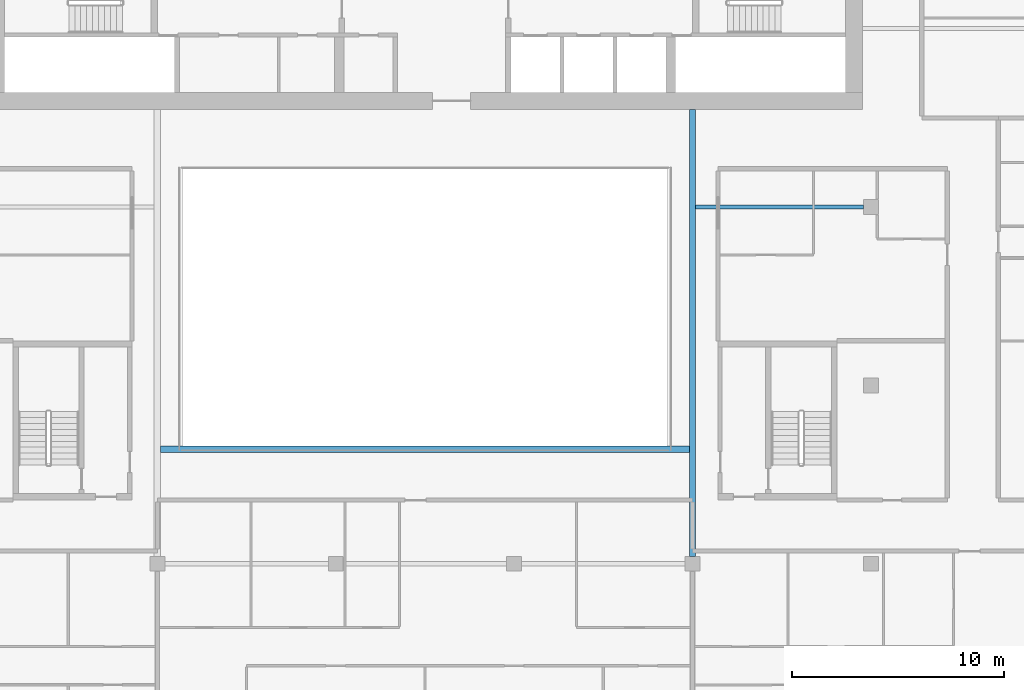
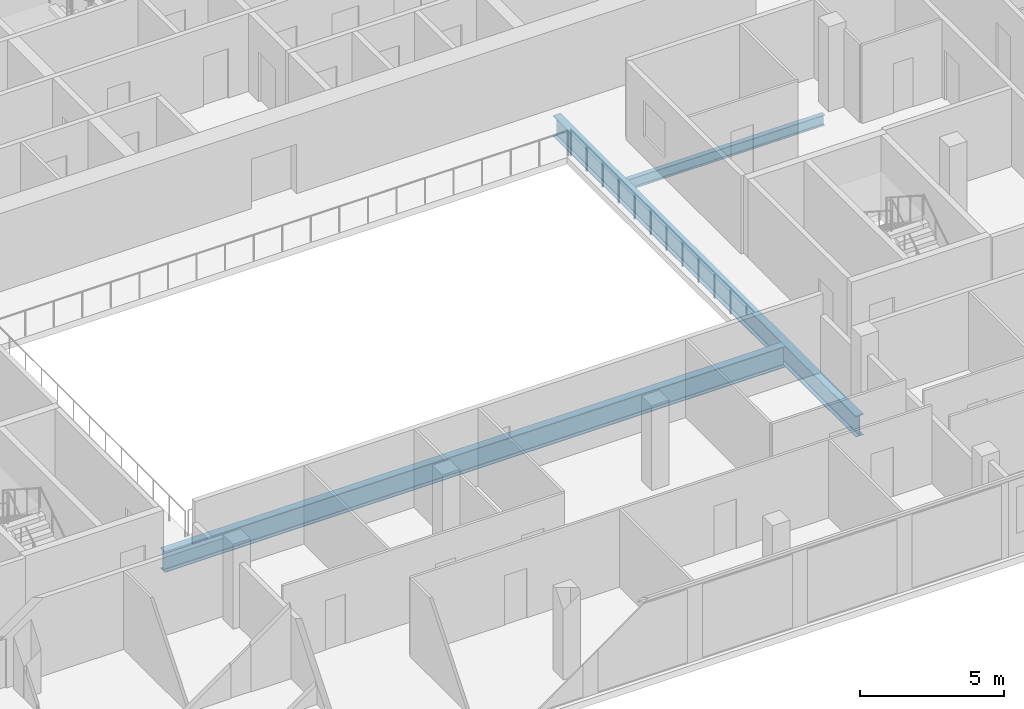
# One storey, part 7 of 29: 3 beams.
"""IFC4 building model written with IfcOpenShell, lengths in metres."""

from ifc_helpers import new_model, si_unit, direction, frame, origin, origin_2d, place, context, subcontext, project, spatial, i_section, extrude, material, material_profile, profile_set, type_object, element, save


model = new_model("IFC4")

# Units and contexts
model_context = context("Model", 3, precision=1e-05, world=origin(), true_north=direction((0.0, 1.0)))
body_context = subcontext(model_context, "Body", "Model", "MODEL_VIEW")
ifc_project = project(units=[si_unit("LENGTHUNIT", "METRE"), si_unit("AREAUNIT", "SQUARE_METRE"), si_unit("VOLUMEUNIT", "CUBIC_METRE"), si_unit("PLANEANGLEUNIT", "RADIAN"), si_unit("MASSUNIT", "GRAM", prefix="KILO")], contexts=[model_context])

# Site, building, storey
site_placement = place(None, origin())
site = spatial("IfcSite", under=ifc_project, at=site_placement, CompositionType="ELEMENT")
building_placement = place(site_placement, origin())
building = spatial("IfcBuilding", under=site, at=building_placement, Name="Saffron Gate Tower", CompositionType="ELEMENT")
storey_placement = place(building_placement, frame((0.0, 0.0, 161.85009765625)))
storey = spatial("IfcBuildingStorey", under=building, at=storey_placement, Name="L39", CompositionType="ELEMENT", Elevation=161.85009765625)

# Beams
ifc_material = material(Name="Structural steel S355", Category="steel")
ifc_material_profile_1 = material_profile(ifc_material, i_section(OverallWidth=0.300048828125, OverallDepth=0.889892578125, WebThickness=0.01611328125, FlangeThickness=0.030029296875, FilletRadius=0.030029296875, at=origin_2d()))
ifc_profile_set_1 = profile_set([ifc_material_profile_1], Name="Structural steel S355")
beam_type_1 = type_object("IfcBeamType", Name="B19 HEA 900", PredefinedType="BEAM", material=ifc_profile_set_1)
beam_1_placement = place(storey_placement, frame((100.199951171875, 40.550048828125, -0.72509765625), z_axis=(0.0, 1.0, 0.0), x_axis=(-1.0, 0.0, 0.0)))
element("IfcBeam", 1, at=beam_1_placement, inside=storey, type_object=beam_type_1, Name="B19 ATRIUM GIRDER", PredefinedType="BEAM", context=body_context, shape_type="SweptSolid", body=[
    extrude(i_section(OverallWidth=0.300048828125, OverallDepth=0.889892578125, WebThickness=0.01611328125, FlangeThickness=0.030029296875, FilletRadius=0.030029296875, at=origin_2d()), origin(), (0.0, 0.0, 1.0), 21.050048828125),
])
beam_2_placement = place(storey_placement, frame((75.14990234375, 45.60009765625, -0.72509765625), z_axis=(1.0, 0.0, 0.0), x_axis=(0.0, 1.0, 0.0)))
element("IfcBeam", 2, at=beam_2_placement, inside=storey, type_object=beam_type_1, Name="B19 ATRIUM GIRDER", PredefinedType="BEAM", context=body_context, shape_type="SweptSolid", body=[
    extrude(i_section(OverallWidth=0.300048828125, OverallDepth=0.889892578125, WebThickness=0.01611328125, FlangeThickness=0.030029296875, FilletRadius=0.030029296875, at=origin_2d()), origin(), (0.0, 0.0, 1.0), 24.900146484375),
])
ifc_material_profile_2 = material_profile(ifc_material, i_section(OverallWidth=0.18994140625, OverallDepth=0.449951171875, WebThickness=0.009521484375, FlangeThickness=0.0146484375, FilletRadius=0.02099609375, at=origin_2d()))
ifc_profile_set_2 = profile_set([ifc_material_profile_2], Name="Structural steel S355")
beam_type_2 = type_object("IfcBeamType", Name="B6 IPE 450", PredefinedType="BEAM", material=ifc_profile_set_2)
beam_3_placement = place(storey_placement, frame((108.25, 57.0, -0.505126953125), z_axis=(-1.0, 0.0, 0.0), x_axis=(0.0, -1.0, 0.0)))
element("IfcBeam", 3, at=beam_3_placement, inside=storey, type_object=beam_type_2, Name="B6 CORE TIE BEAM", PredefinedType="BEAM", context=body_context, shape_type="SweptSolid", body=[
    extrude(i_section(OverallWidth=0.18994140625, OverallDepth=0.449951171875, WebThickness=0.009521484375, FlangeThickness=0.0146484375, FilletRadius=0.02099609375, at=origin_2d()), origin(), (0.0, 0.0, 1.0), 7.89990234375),
])

save(model, "model.ifc")
